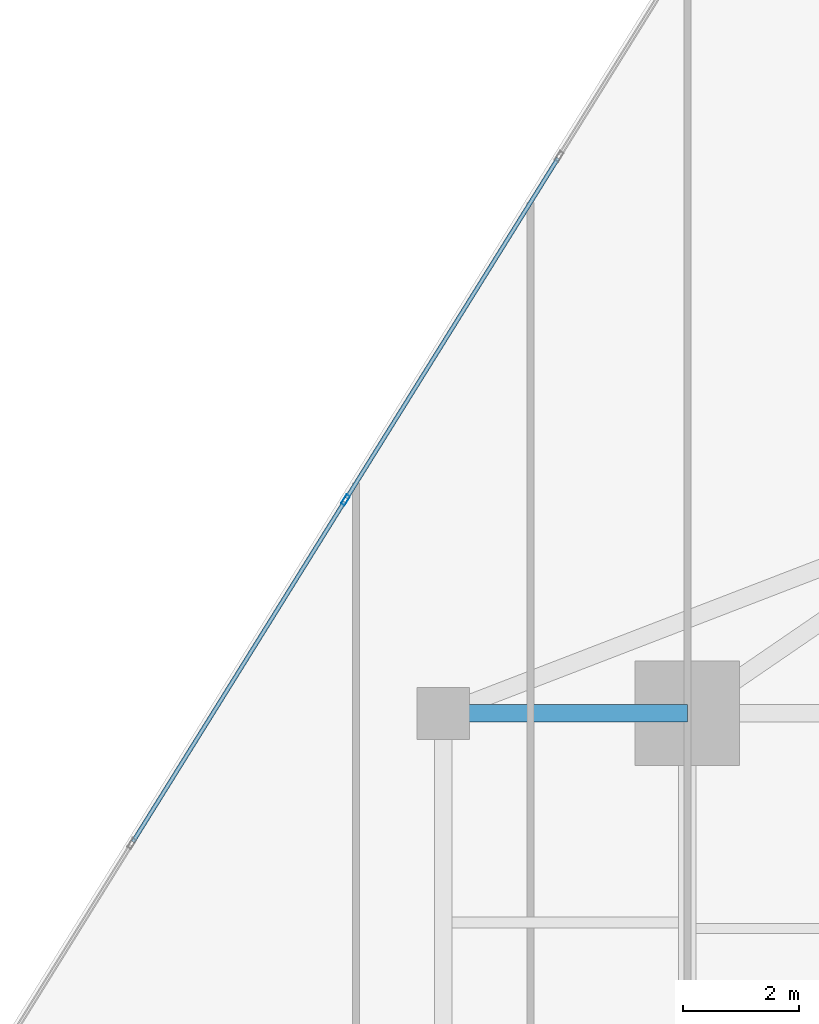
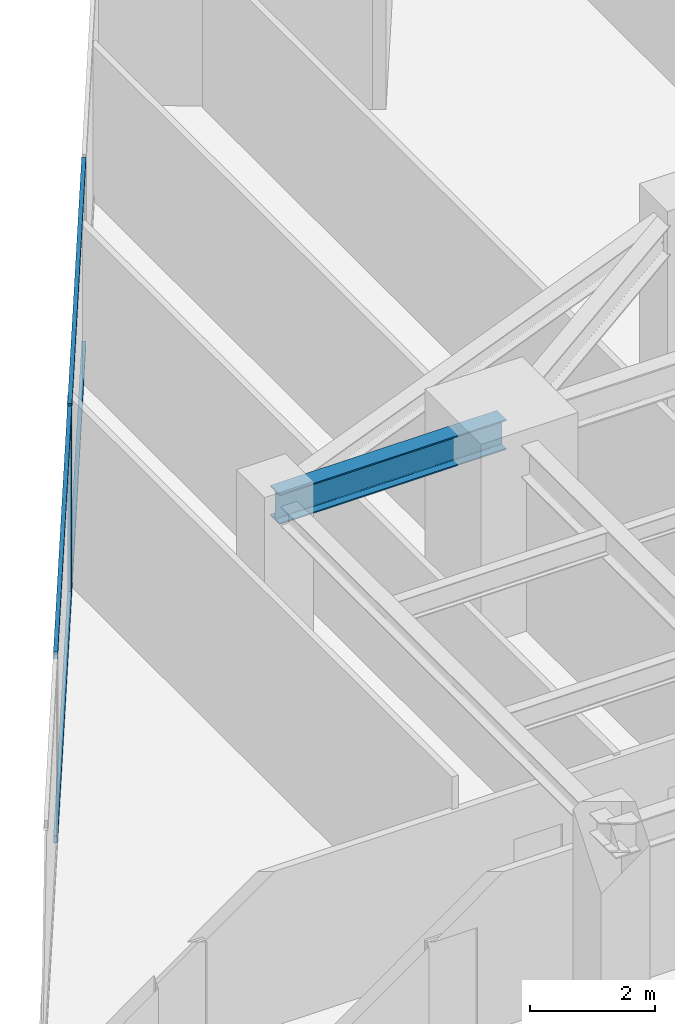
# One storey, part 13 of 25: 5 members, 1 beam, 1 element without a shape of its own.
"""IFC4 building model written with IfcOpenShell, lengths in metres."""

from ifc_helpers import new_model, si_unit, direction, frame, origin, origin_2d, place, context, subcontext, project, spatial, hollow_rectangle, i_section, extrude, source, transform, mapped, material, material_profile, profile_set, type_object, type_shapes, element, aggregate, save


model = new_model("IFC4")

# Units and contexts
model_context = context("Model", 3, precision=1e-05, world=origin(), true_north=direction((0.0, 1.0)))
body_context = subcontext(model_context, "Body", "Model", "MODEL_VIEW")
ifc_project = project(units=[si_unit("LENGTHUNIT", "METRE"), si_unit("AREAUNIT", "SQUARE_METRE"), si_unit("VOLUMEUNIT", "CUBIC_METRE"), si_unit("PLANEANGLEUNIT", "RADIAN"), si_unit("MASSUNIT", "GRAM", prefix="KILO")], contexts=[model_context])

# Site, building, storey
site_placement = place(None, origin())
site = spatial("IfcSite", under=ifc_project, at=site_placement, CompositionType="ELEMENT")
building_placement = place(site_placement, origin())
building = spatial("IfcBuilding", under=site, at=building_placement, Name="Krantzveldt Concourse Tower", CompositionType="ELEMENT")
storey_placement = place(building_placement, frame((0.0, 0.0, 181.75)))
storey = spatial("IfcBuildingStorey", under=building, at=storey_placement, Name="L44", CompositionType="ELEMENT", Elevation=181.75)

# Beam
ifc_material_1 = material(Name="Steel S355JR", Category="steel")
ifc_material_profile_1 = material_profile(ifc_material_1, i_section(OverallWidth=0.300048828125, OverallDepth=0.590087890625, WebThickness=0.012939453125, FlangeThickness=0.02490234375, FilletRadius=0.027099609375, at=origin_2d()), Name="Steel S355JR", Category="steel")
ifc_profile_set_1 = profile_set([ifc_material_profile_1], Name="Steel S355JR - HEA 600")
beam_type = type_object("IfcBeamType", Name="BM-B-HEA600", PredefinedType="BEAM", material=ifc_profile_set_1)
shared_shape_1 = source(origin(), body_context, "Body", "SweptSolid", [
    extrude(i_section(OverallWidth=0.300048828125, OverallDepth=0.590087890625, WebThickness=0.012939453125, FlangeThickness=0.02490234375, FilletRadius=0.027099609375, at=origin_2d()), origin(), (0.0, 0.0, 1.0), 4.199951171875),
])
type_shapes(beam_type, [shared_shape_1])
beam_placement = place(storey_placement, frame((21.0, 37.5, 3.375), z_axis=(1.0, 0.0, 0.0), x_axis=(0.0, 1.0, 0.0)))
element("IfcBeam", 1, at=beam_placement, inside=storey, type_object=beam_type, Name="L44 Tower Girder BR-RL3", PredefinedType="BEAM", context=body_context, shape_type="MappedRepresentation", body=[
    mapped(shared_shape_1, transform((0.0, 0.0, 0.0), x_axis=(1.0, 0.0, 0.0), y_axis=(0.0, 1.0, 0.0), z_axis=(0.0, 0.0, 1.0), scale=1.0)),
])

# Curtain wall, members
ifc_material_2 = material(Name="Anodised aluminium 6063-T6", Category="aluminium")
curtain_wall_type = type_object("IfcCurtainWallType", Name="CW3", PredefinedType="USERDEFINED", material=ifc_material_2)
curtain_wall_placement = place(storey_placement, origin())
curtain_wall = element("IfcCurtainWall", 2, at=curtain_wall_placement, inside=storey, type_object=curtain_wall_type, Name="CW-L44-F01", ObjectType="UNITISED CURTAIN WALL", PredefinedType="USERDEFINED")
ifc_material_profile_2 = material_profile(ifc_material_2, hollow_rectangle(XDim=0.070068359375, YDim=0.179931640625, WallThickness=0.0048828125, at=origin_2d()), Name="Anodised aluminium 6063-T6", Category="aluminium")
ifc_profile_set_2 = profile_set([ifc_material_profile_2], Name="Anodised aluminium 6063-T6 - ALU-MULL 180x70x5")
member_type_1 = type_object("IfcMemberType", Name="CW-MUL-180", PredefinedType="MULLION", material=ifc_profile_set_2)
shared_shape_2 = source(origin(), body_context, "Body", "SweptSolid", [
    extrude(hollow_rectangle(XDim=0.070068359375, YDim=0.179931640625, WallThickness=0.0048828125, at=origin_2d()), origin(), (0.0, 0.0, 1.0), 3.669921875),
])
type_shapes(member_type_1, [shared_shape_2])
member_1_placement = place(storey_placement, frame((19.316650390625, 41.17236328125, 0.0), z_axis=(0.0, 0.0, 1.0), x_axis=(0.84920214961, -0.528067901977, 0.0)))
member_1 = element("IfcMember", 3, at=member_1_placement, type_object=member_type_1, Name="CW-Z34 mullion 3", PredefinedType="MULLION", context=body_context, shape_type="MappedRepresentation", body=[
    mapped(shared_shape_2, transform((0.0, 0.0, 0.0), x_axis=(1.0, 0.0, 0.0), y_axis=(0.0, 1.0, 0.0), z_axis=(0.0, 0.0, 1.0), scale=1.0)),
])
ifc_material_profile_3 = material_profile(ifc_material_2, hollow_rectangle(XDim=0.070068359375, YDim=0.139892578125, WallThickness=0.0048828125, at=origin_2d()), Name="Anodised aluminium 6063-T6", Category="aluminium")
ifc_profile_set_3 = profile_set([ifc_material_profile_3], Name="Anodised aluminium 6063-T6 - ALU-TRAN 140x70x5")
member_type_2 = type_object("IfcMemberType", Name="CW-TRN-150", PredefinedType="USERDEFINED", material=ifc_profile_set_3)
shared_shape_3 = source(origin(), body_context, "Body", "SweptSolid", [
    extrude(hollow_rectangle(XDim=0.070068359375, YDim=0.139892578125, WallThickness=0.0048828125, at=origin_2d()), origin(), (0.0, 0.0, 1.0), 6.89013671875),
])
member_2_placement = place(storey_placement, frame((22.973388671875, 47.05322265625, 0.034912109375), z_axis=(-0.528067429464, -0.849202443437, 0.0), x_axis=(0.849202443437, -0.528067429464, 0.0)))
member_2 = element("IfcMember", 4, at=member_2_placement, type_object=member_type_2, Name="CW-Z34 transom 2.1", ObjectType="TRANSOM", PredefinedType="USERDEFINED", context=body_context, shape_type="MappedRepresentation", body=[
    mapped(shared_shape_3, transform((0.0, 0.0, 0.0), x_axis=(1.0, 0.0, 0.0), y_axis=(0.0, 1.0, 0.0), z_axis=(0.0, 0.0, 1.0), scale=1.0)),
])
member_3_placement = place(storey_placement, frame((22.973388671875, 47.05322265625, 3.635009765625), z_axis=(-0.528067429464, -0.849202443437, 0.0), x_axis=(0.849202443437, -0.528067429464, 0.0)))
member_3 = element("IfcMember", 5, at=member_3_placement, type_object=member_type_2, Name="CW-Z34 transom 2.2", ObjectType="TRANSOM", PredefinedType="USERDEFINED", context=body_context, shape_type="MappedRepresentation", body=[
    mapped(shared_shape_3, transform((0.0, 0.0, 0.0), x_axis=(1.0, 0.0, 0.0), y_axis=(0.0, 1.0, 0.0), z_axis=(0.0, 0.0, 1.0), scale=1.0)),
])
shared_shape_4 = source(origin(), body_context, "Body", "SweptSolid", [
    extrude(hollow_rectangle(XDim=0.070068359375, YDim=0.139892578125, WallThickness=0.0048828125, at=origin_2d()), origin(), (0.0, 0.0, 1.0), 6.889892578125),
])
type_shapes(member_type_2, [shared_shape_3, shared_shape_4])
member_4_placement = place(storey_placement, frame((19.298095703125, 41.142578125, 0.034912109375), z_axis=(-0.528083319572, -0.849192562138, 0.0), x_axis=(0.849192562138, -0.528083319572, 0.0)))
member_4 = element("IfcMember", 6, at=member_4_placement, type_object=member_type_2, Name="CW-Z34 transom 3.1", ObjectType="TRANSOM", PredefinedType="USERDEFINED", context=body_context, shape_type="MappedRepresentation", body=[
    mapped(shared_shape_4, transform((0.0, 0.0, 0.0), x_axis=(1.0, 0.0, 0.0), y_axis=(0.0, 1.0, 0.0), z_axis=(0.0, 0.0, 1.0), scale=1.0)),
])
member_5_placement = place(storey_placement, frame((19.298095703125, 41.142578125, 3.635009765625), z_axis=(-0.528083319572, -0.849192562138, 0.0), x_axis=(0.849192562138, -0.528083319572, 0.0)))
member_5 = element("IfcMember", 7, at=member_5_placement, type_object=member_type_2, Name="CW-Z34 transom 3.2", ObjectType="TRANSOM", PredefinedType="USERDEFINED", context=body_context, shape_type="MappedRepresentation", body=[
    mapped(shared_shape_4, transform((0.0, 0.0, 0.0), x_axis=(1.0, 0.0, 0.0), y_axis=(0.0, 1.0, 0.0), z_axis=(0.0, 0.0, 1.0), scale=1.0)),
])
aggregate(curtain_wall, [member_1, member_2, member_3, member_4, member_5])

save(model, "model.ifc")
